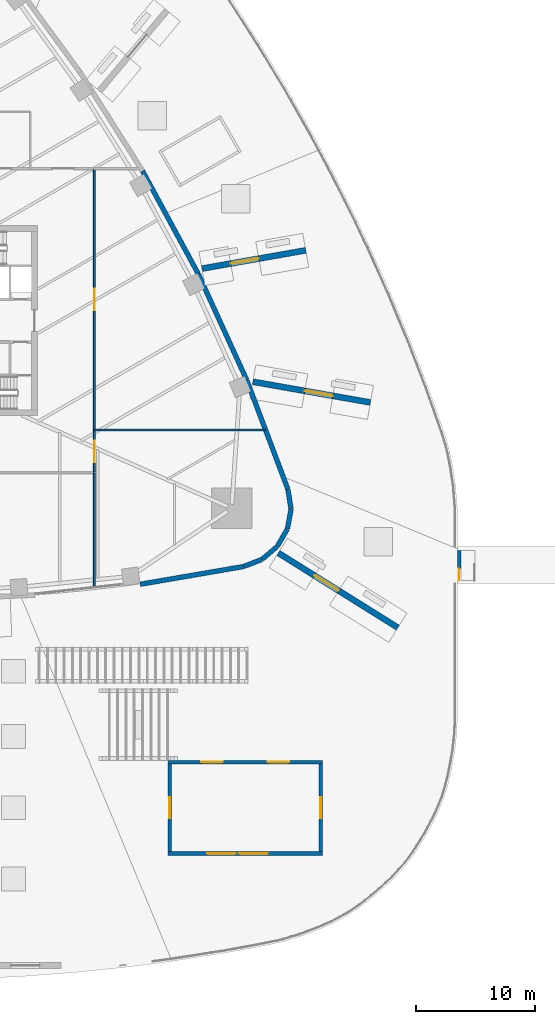
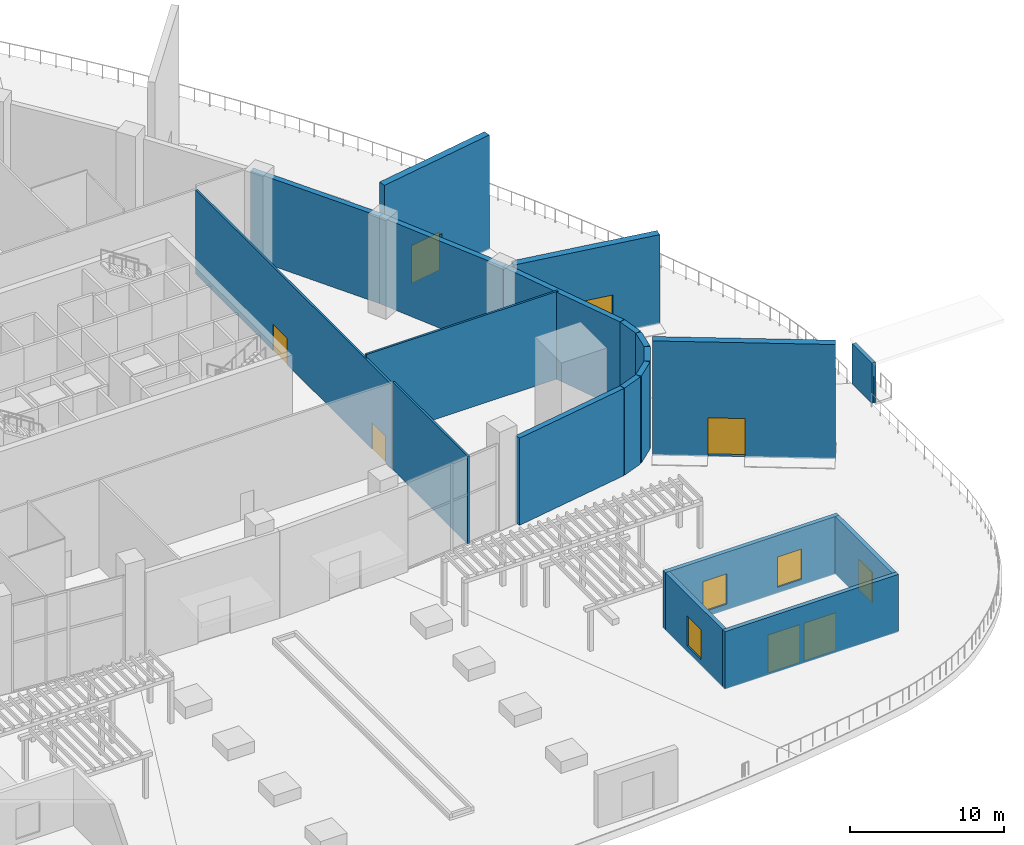
# One storey, part 11 of 20: 20 walls, 8 doors, 4 windows, 12 openings.
"""IFC4 building model written with IfcOpenShell, lengths in metres."""

from ifc_helpers import new_model, si_unit, direction, frame, frame_2d, origin, place, context, subcontext, project, spatial, rectangle, extrude, material, layer, layer_set, type_object, element, fill, save


model = new_model("IFC4")

# Units and contexts
model_context = context("Model", 3, precision=1e-05, world=origin(), true_north=direction((0.0, 1.0)))
body_context = subcontext(model_context, "Body", "Model", "MODEL_VIEW")
ifc_project = project(units=[si_unit("LENGTHUNIT", "METRE"), si_unit("AREAUNIT", "SQUARE_METRE"), si_unit("VOLUMEUNIT", "CUBIC_METRE"), si_unit("PLANEANGLEUNIT", "RADIAN"), si_unit("MASSUNIT", "GRAM", prefix="KILO")], contexts=[model_context])

# Site, building, storey
site_placement = place(None, origin())
site = spatial("IfcSite", under=ifc_project, at=site_placement, CompositionType="ELEMENT")
building_placement = place(site_placement, origin())
building = spatial("IfcBuilding", under=site, at=building_placement, Name="Sierra Prisma Convention Tower", CompositionType="ELEMENT")
storey_placement = place(building_placement, frame((0.0, 0.0, 9.0)))
storey = spatial("IfcBuildingStorey", under=building, at=storey_placement, Name="L01", CompositionType="ELEMENT", Elevation=9.0)

# Wall, openings, doors
ifc_material_1 = material(Name="Gypsum board partition", Category="gypsum")
ifc_layer_1 = layer(ifc_material_1, 0.14990234375)
ifc_layer_set_1 = layer_set([ifc_layer_1], Name="Corridor wall 150 gypsum EI 60")
wall_type_1 = type_object("IfcWallType", Name="Corridor wall 150 gypsum EI 60", PredefinedType="PARTITIONING", material=ifc_layer_set_1)
wall_1_placement = place(storey_placement, frame((15.800048828125, -12.719970703125, 0.0), z_axis=(0.0, 0.0, 1.0), x_axis=(0.0, 1.0, 0.0)))
wall_1 = element("IfcWall", 1, at=wall_1_placement, inside=storey, type_object=wall_type_1, Name="Partition L01 corr 4", PredefinedType="PARTITIONING", context=body_context, shape_type="SweptSolid", body=[
    extrude(rectangle(XDim=25.43994140625, YDim=0.14990234375, at=frame_2d((12.719970703125, 0.0))), origin(), (0.0, 0.0, 1.0), 6.64697265625),
])
opening_1_placement = place(wall_1_placement, frame((0.81005859375, 0.0, 0.0)))
opening_1 = element("IfcOpeningElement", 2, at=opening_1_placement, cuts=wall_1, Name="Opening L01-D031", PredefinedType="OPENING", context=body_context, shape_type="SweptSolid", body=[
    extrude(rectangle(XDim=1.800048828125, YDim=2.10009765625, at=frame_2d((0.89990234375, 1.050048828125))), frame((0.0, 0.074951171875, 0.0), z_axis=(0.0, -1.0, 0.0), x_axis=(1.0, 0.0, 0.0)), (0.0, 0.0, 1.0), 0.14990234375),
])
opening_2_placement = place(wall_1_placement, frame((13.6201171875, 0.0, 0.0)))
opening_2 = element("IfcOpeningElement", 3, at=opening_2_placement, cuts=wall_1, Name="Opening L01-D032", PredefinedType="OPENING", context=body_context, shape_type="SweptSolid", body=[
    extrude(rectangle(XDim=1.800048828125, YDim=2.10009765625, at=frame_2d((0.89990234375, 1.050048828125))), frame((0.0, 0.074951171875, 0.0), z_axis=(0.0, -1.0, 0.0), x_axis=(1.0, 0.0, 0.0)), (0.0, 0.0, 1.0), 0.14990234375),
])
ifc_material_2 = material(Name="Steel fire door leaf", Category="steel")
door_type_1 = type_object("IfcDoorType", Name="Door 1800x2100 FD30S", OperationType="DOUBLE_DOOR_SINGLE_SWING", PredefinedType="DOOR", material=ifc_material_2)
door_1_placement = place(opening_1_placement, origin())
door_1 = element("IfcDoor", 4, at=door_1_placement, inside=storey, type_object=door_type_1, Name="Door L01 8", OperationType="DOUBLE_DOOR_SINGLE_SWING", OverallHeight=2.10009765625, OverallWidth=1.800048828125, PredefinedType="DOOR", context=body_context, shape_type="SweptSolid", body=[
    extrude(rectangle(XDim=1.800048828125, YDim=2.10009765625, at=frame_2d((0.89990234375, 1.050048828125))), frame((0.0, 0.02490234375, 0.0), z_axis=(0.0, -1.0, 0.0), x_axis=(1.0, 0.0, 0.0)), (0.0, 0.0, 1.0), 0.050048828125),
])
fill(opening_1, door_1)
door_2_placement = place(opening_2_placement, origin())
door_2 = element("IfcDoor", 5, at=door_2_placement, inside=storey, type_object=door_type_1, Name="Door L01 9", OperationType="DOUBLE_DOOR_SINGLE_SWING", OverallHeight=2.10009765625, OverallWidth=1.800048828125, PredefinedType="DOOR", context=body_context, shape_type="SweptSolid", body=[
    extrude(rectangle(XDim=1.800048828125, YDim=2.10009765625, at=frame_2d((0.89990234375, 1.050048828125))), frame((0.0, 0.02490234375, 0.0), z_axis=(0.0, -1.0, 0.0), x_axis=(1.0, 0.0, 0.0)), (0.0, 0.0, 1.0), 0.050048828125),
])
fill(opening_2, door_2)

# Wall, opening, door
ifc_material_3 = material(Name="Concrete C35/45", Category="concrete")
ifc_layer_2 = layer(ifc_material_3, 0.300048828125)
ifc_layer_set_2 = layer_set([ifc_layer_2], Name="Exit stair enclosure wall 300")
wall_type_2 = type_object("IfcWallType", Name="Exit stair enclosure wall 300", PredefinedType="STANDARD", material=ifc_layer_set_2)
wall_2_placement = place(storey_placement, frame((46.4990234375, -21.875, 0.0), z_axis=(0.0, 0.0, 1.0), x_axis=(0.0, 1.0, 0.0)))
wall_2 = element("IfcWall", 6, at=wall_2_placement, inside=storey, type_object=wall_type_2, Name="Exit stair east near wall at the deck", PredefinedType="STANDARD", context=body_context, shape_type="SweptSolid", body=[
    extrude(rectangle(XDim=2.550048828125, YDim=0.300048828125, at=frame_2d((1.27490234375, 0.0))), origin(), (0.0, 0.0, 1.0), 3.199951171875),
])
opening_3_placement = place(wall_2_placement, origin())
opening_3 = element("IfcOpeningElement", 7, at=opening_3_placement, cuts=wall_2, Name="Opening L01-D036", PredefinedType="OPENING", context=body_context, shape_type="SweptSolid", body=[
    extrude(rectangle(XDim=1.0, YDim=2.10009765625, at=frame_2d((0.5, 1.050048828125))), frame((0.0, 0.14990234375, 0.0), z_axis=(0.0, -1.0, 0.0), x_axis=(1.0, 0.0, 0.0)), (0.0, 0.0, 1.0), 0.300048828125),
])
ifc_material_4 = material(Name="Painted steel, fire resisting", Category="steel")
door_type_2 = type_object("IfcDoorType", Name="Exit stair door 1000 x 2100 FD90S", OperationType="SINGLE_SWING_LEFT", PredefinedType="DOOR", material=ifc_material_4)
door_3_placement = place(opening_3_placement, origin())
door_3 = element("IfcDoor", 8, at=door_3_placement, inside=storey, type_object=door_type_2, Name="Door from the deck to the east exit stair", OperationType="SINGLE_SWING_LEFT", OverallHeight=2.10009765625, OverallWidth=1.0, PredefinedType="DOOR", context=body_context, shape_type="SweptSolid", body=[
    extrude(rectangle(XDim=1.0, YDim=2.10009765625, at=frame_2d((0.5, 1.050048828125))), frame((0.0, 0.02490234375, 0.0), z_axis=(0.0, -1.0, 0.0), x_axis=(1.0, 0.0, 0.0)), (0.0, 0.0, 1.0), 0.050048828125),
])
fill(opening_3, door_3)

# Walls
ifc_material_5 = material(Name="Gypsum board partition", Category="gypsum")
ifc_layer_3 = layer(ifc_material_5, 0.14990234375)
ifc_layer_set_3 = layer_set([ifc_layer_3], Name="Party wall 150 gypsum")
wall_type_3 = type_object("IfcWallType", Name="Party wall 150 gypsum", PredefinedType="PARTITIONING", material=ifc_layer_set_3)
wall_3_placement = place(storey_placement, frame((15.800048828125, -12.800048828125, 0.0), z_axis=(0.0, 0.0, 1.0), x_axis=(0.0, -1.0, 0.0)))
element("IfcWall", 9, at=wall_3_placement, inside=storey, type_object=wall_type_3, Name="Partition L01 party 5", PredefinedType="PARTITIONING", context=body_context, shape_type="SweptSolid", body=[
    extrude(rectangle(XDim=9.7099609375, YDim=0.14990234375, at=frame_2d((4.85498046875, 0.0))), origin(), (0.0, 0.0, 1.0), 6.93408203125),
])
wall_4_placement = place(storey_placement, frame((15.800048828125, -9.199951171875, 0.0), z_axis=(0.0, 0.0, 1.0), x_axis=(1.0, 0.0, 0.0)))
element("IfcWall", 10, at=wall_4_placement, inside=storey, type_object=wall_type_3, Name="Partition L01 party 6", PredefinedType="PARTITIONING", context=body_context, shape_type="SweptSolid", body=[
    extrude(rectangle(XDim=14.3681640625, YDim=0.14990234375, at=frame_2d((7.18408203125, 0.0))), origin(), (0.0, 0.0, 1.0), 6.93408203125),
])

# Wall, openings, doors
ifc_material_6 = material(Name="Concrete C35/45, rose plaster finish", Category="concrete")
ifc_layer_4 = layer(ifc_material_6, 0.300048828125)
ifc_layer_set_4 = layer_set([ifc_layer_4], Name="Pavilion plastered wall 300")
wall_type_4 = type_object("IfcWallType", Name="Pavilion plastered wall 300", PredefinedType="STANDARD", material=ifc_layer_set_4)
wall_5_placement = place(storey_placement, frame((35.0, -44.85009765625, -0.06005859375), z_axis=(0.0, 0.0, 1.0), x_axis=(-1.0, 0.0, 0.0)))
wall_5 = element("IfcWall", 11, at=wall_5_placement, inside=storey, type_object=wall_type_4, Name="East welcome pavilion wall", PredefinedType="STANDARD", context=body_context, shape_type="SweptSolid", body=[
    extrude(rectangle(XDim=13.0, YDim=0.300048828125, at=frame_2d((6.5, 0.0))), origin(), (0.0, 0.0, 1.0), 4.56005859375),
])
opening_4_placement = place(wall_5_placement, frame((4.60009765625, 0.0, 0.06005859375)))
opening_4 = element("IfcOpeningElement", 12, at=opening_4_placement, cuts=wall_5, Name="Opening L01-D047", PredefinedType="OPENING", context=body_context, shape_type="SweptSolid", body=[
    extrude(rectangle(XDim=2.39990234375, YDim=3.0, at=frame_2d((1.199951171875, 1.5))), frame((0.0, 0.14990234375, 0.0), z_axis=(0.0, -1.0, 0.0), x_axis=(1.0, 0.0, 0.0)), (0.0, 0.0, 1.0), 0.300048828125),
])
opening_5_placement = place(wall_5_placement, frame((7.300048828125, 0.0, 0.06005859375)))
opening_5 = element("IfcOpeningElement", 13, at=opening_5_placement, cuts=wall_5, Name="Opening L01-D048", PredefinedType="OPENING", context=body_context, shape_type="SweptSolid", body=[
    extrude(rectangle(XDim=2.39990234375, YDim=3.0, at=frame_2d((1.199951171875, 1.5))), frame((0.0, 0.14990234375, 0.0), z_axis=(0.0, -1.0, 0.0), x_axis=(1.0, 0.0, 0.0)), (0.0, 0.0, 1.0), 0.300048828125),
])
ifc_material_7 = material(Name="Bronze anodised aluminium and glass", Category="aluminium")
door_type_3 = type_object("IfcDoorType", Name="Pavilion entrance double 2400 x 3000", OperationType="DOUBLE_DOOR_SINGLE_SWING", PredefinedType="DOOR", material=ifc_material_7)
door_4_placement = place(opening_4_placement, origin())
door_4 = element("IfcDoor", 14, at=door_4_placement, inside=storey, type_object=door_type_3, Name="Pavilion entrance door", OperationType="DOUBLE_DOOR_SINGLE_SWING", OverallHeight=3.0, OverallWidth=2.39990234375, PredefinedType="DOOR", context=body_context, shape_type="SweptSolid", body=[
    extrude(rectangle(XDim=2.39990234375, YDim=3.0, at=frame_2d((1.199951171875, 1.5))), frame((0.0, 0.02490234375, 0.0), z_axis=(0.0, -1.0, 0.0), x_axis=(1.0, 0.0, 0.0)), (0.0, 0.0, 1.0), 0.050048828125),
])
fill(opening_4, door_4)
door_5_placement = place(opening_5_placement, origin())
door_5 = element("IfcDoor", 15, at=door_5_placement, inside=storey, type_object=door_type_3, Name="Pavilion entrance door", OperationType="DOUBLE_DOOR_SINGLE_SWING", OverallHeight=3.0, OverallWidth=2.39990234375, PredefinedType="DOOR", context=body_context, shape_type="SweptSolid", body=[
    extrude(rectangle(XDim=2.39990234375, YDim=3.0, at=frame_2d((1.199951171875, 1.5))), frame((0.0, 0.02490234375, 0.0), z_axis=(0.0, -1.0, 0.0), x_axis=(1.0, 0.0, 0.0)), (0.0, 0.0, 1.0), 0.050048828125),
])
fill(opening_5, door_5)

# Wall, openings, windows
wall_6_placement = place(storey_placement, frame((22.0, -37.14990234375, -0.06005859375), z_axis=(0.0, 0.0, 1.0), x_axis=(1.0, 0.0, 0.0)))
wall_6 = element("IfcWall", 16, at=wall_6_placement, inside=storey, type_object=wall_type_4, Name="East welcome pavilion wall", PredefinedType="STANDARD", context=body_context, shape_type="SweptSolid", body=[
    extrude(rectangle(XDim=13.0, YDim=0.300048828125, at=frame_2d((6.5, 0.0))), origin(), (0.0, 0.0, 1.0), 4.56005859375),
])
opening_6_placement = place(wall_6_placement, frame((2.800048828125, 0.0, 0.4599609375)))
opening_6 = element("IfcOpeningElement", 17, at=opening_6_placement, cuts=wall_6, Name="Opening L01-W01", PredefinedType="OPENING", context=body_context, shape_type="SweptSolid", body=[
    extrude(rectangle(XDim=1.800048828125, YDim=2.39990234375, at=frame_2d((0.89990234375, 1.199951171875))), frame((0.0, 0.14990234375, 0.0), z_axis=(0.0, -1.0, 0.0), x_axis=(1.0, 0.0, 0.0)), (0.0, 0.0, 1.0), 0.300048828125),
])
opening_7_placement = place(wall_6_placement, frame((8.39990234375, 0.0, 0.4599609375)))
opening_7 = element("IfcOpeningElement", 18, at=opening_7_placement, cuts=wall_6, Name="Opening L01-W02", PredefinedType="OPENING", context=body_context, shape_type="SweptSolid", body=[
    extrude(rectangle(XDim=1.800048828125, YDim=2.39990234375, at=frame_2d((0.89990234375, 1.199951171875))), frame((0.0, 0.14990234375, 0.0), z_axis=(0.0, -1.0, 0.0), x_axis=(1.0, 0.0, 0.0)), (0.0, 0.0, 1.0), 0.300048828125),
])
ifc_material_8 = material(Name="Tinted glass, bronze aluminium frame", Category="aluminium")
window_type = type_object("IfcWindowType", Name="Pavilion window 1800 x 2400", PartitioningType="SINGLE_PANEL", PredefinedType="WINDOW", material=ifc_material_8)
window_1_placement = place(opening_6_placement, origin())
window_1 = element("IfcWindow", 19, at=window_1_placement, inside=storey, type_object=window_type, Name="Pavilion window", OverallHeight=2.39990234375, OverallWidth=1.800048828125, PartitioningType="SINGLE_PANEL", PredefinedType="WINDOW", context=body_context, shape_type="SweptSolid", body=[
    extrude(rectangle(XDim=1.800048828125, YDim=2.39990234375, at=frame_2d((0.89990234375, 1.199951171875))), frame((0.0, 0.030029296875, 0.0), z_axis=(0.0, -1.0, 0.0), x_axis=(1.0, 0.0, 0.0)), (0.0, 0.0, 1.0), 0.06005859375),
])
fill(opening_6, window_1)
window_2_placement = place(opening_7_placement, origin())
window_2 = element("IfcWindow", 20, at=window_2_placement, inside=storey, type_object=window_type, Name="Pavilion window", OverallHeight=2.39990234375, OverallWidth=1.800048828125, PartitioningType="SINGLE_PANEL", PredefinedType="WINDOW", context=body_context, shape_type="SweptSolid", body=[
    extrude(rectangle(XDim=1.800048828125, YDim=2.39990234375, at=frame_2d((0.89990234375, 1.199951171875))), frame((0.0, 0.030029296875, 0.0), z_axis=(0.0, -1.0, 0.0), x_axis=(1.0, 0.0, 0.0)), (0.0, 0.0, 1.0), 0.06005859375),
])
fill(opening_7, window_2)

# Wall, opening, window
wall_7_placement = place(storey_placement, frame((22.14990234375, -37.300048828125, -0.06005859375), z_axis=(0.0, 0.0, 1.0), x_axis=(0.0, -1.0, 0.0)))
wall_7 = element("IfcWall", 21, at=wall_7_placement, inside=storey, type_object=wall_type_4, Name="East welcome pavilion wall", PredefinedType="STANDARD", context=body_context, shape_type="SweptSolid", body=[
    extrude(rectangle(XDim=7.39990234375, YDim=0.300048828125, at=frame_2d((3.699951171875, 0.0))), origin(), (0.0, 0.0, 1.0), 4.56005859375),
])
opening_8_placement = place(wall_7_placement, frame((2.800048828125, 0.0, 0.4599609375)))
opening_8 = element("IfcOpeningElement", 22, at=opening_8_placement, cuts=wall_7, Name="Opening L01-W03", PredefinedType="OPENING", context=body_context, shape_type="SweptSolid", body=[
    extrude(rectangle(XDim=1.800048828125, YDim=2.39990234375, at=frame_2d((0.89990234375, 1.199951171875))), frame((0.0, 0.14990234375, 0.0), z_axis=(0.0, -1.0, 0.0), x_axis=(1.0, 0.0, 0.0)), (0.0, 0.0, 1.0), 0.300048828125),
])
window_3_placement = place(opening_8_placement, origin())
window_3 = element("IfcWindow", 23, at=window_3_placement, inside=storey, type_object=window_type, Name="Pavilion window", OverallHeight=2.39990234375, OverallWidth=1.800048828125, PartitioningType="SINGLE_PANEL", PredefinedType="WINDOW", context=body_context, shape_type="SweptSolid", body=[
    extrude(rectangle(XDim=1.800048828125, YDim=2.39990234375, at=frame_2d((0.89990234375, 1.199951171875))), frame((0.0, 0.030029296875, 0.0), z_axis=(0.0, -1.0, 0.0), x_axis=(1.0, 0.0, 0.0)), (0.0, 0.0, 1.0), 0.06005859375),
])
fill(opening_8, window_3)

wall_8_placement = place(storey_placement, frame((34.85009765625, -44.699951171875, -0.06005859375), z_axis=(0.0, 0.0, 1.0), x_axis=(0.0, 1.0, 0.0)))
wall_8 = element("IfcWall", 24, at=wall_8_placement, inside=storey, type_object=wall_type_4, Name="East welcome pavilion wall", PredefinedType="STANDARD", context=body_context, shape_type="SweptSolid", body=[
    extrude(rectangle(XDim=7.39990234375, YDim=0.300048828125, at=frame_2d((3.699951171875, 0.0))), origin(), (0.0, 0.0, 1.0), 4.56005859375),
])
opening_9_placement = place(wall_8_placement, frame((2.800048828125, 0.0, 0.4599609375)))
opening_9 = element("IfcOpeningElement", 25, at=opening_9_placement, cuts=wall_8, Name="Opening L01-W04", PredefinedType="OPENING", context=body_context, shape_type="SweptSolid", body=[
    extrude(rectangle(XDim=1.800048828125, YDim=2.39990234375, at=frame_2d((0.89990234375, 1.199951171875))), frame((0.0, 0.14990234375, 0.0), z_axis=(0.0, -1.0, 0.0), x_axis=(1.0, 0.0, 0.0)), (0.0, 0.0, 1.0), 0.300048828125),
])
window_4_placement = place(opening_9_placement, origin())
window_4 = element("IfcWindow", 26, at=window_4_placement, inside=storey, type_object=window_type, Name="Pavilion window", OverallHeight=2.39990234375, OverallWidth=1.800048828125, PartitioningType="SINGLE_PANEL", PredefinedType="WINDOW", context=body_context, shape_type="SweptSolid", body=[
    extrude(rectangle(XDim=1.800048828125, YDim=2.39990234375, at=frame_2d((0.89990234375, 1.199951171875))), frame((0.0, 0.030029296875, 0.0), z_axis=(0.0, -1.0, 0.0), x_axis=(1.0, 0.0, 0.0)), (0.0, 0.0, 1.0), 0.06005859375),
])
fill(opening_9, window_4)

# Walls
ifc_material_9 = material(Name="Concrete C40/50, terracotta plaster finish", Category="masonry")
ifc_layer_5 = layer(ifc_material_9, 0.39990234375)
ifc_layer_set_5 = layer_set([ifc_layer_5], Name="Podium plastered wall 400")
wall_type_5 = type_object("IfcWallType", Name="Podium plastered wall 400", PredefinedType="STANDARD", material=ifc_layer_set_5)
for number, where, z_axis, x_axis, name in (
    (27, (31.189697265625, -19.00341796875, 0.0), (0.0, 0.0, 1.0), (-0.760211621525, -0.649675527089, 0.0), "Podium wall L01 1"),
    (28, (32.04052734375, -17.541015625, 0.0), (0.0, 0.0, 1.0), (-0.499985761608, -0.866033624168, 0.0), "Podium wall L01 2"),
    (29, (32.355224609375, -15.87841796875, 0.0), (0.0, 0.0, 1.0), (-0.182653168579, -0.983177410241, 0.0), "Podium wall L01 3"),
):
    element("IfcWall", number, at=place(storey_placement, frame(where, z_axis=z_axis, x_axis=x_axis)), inside=storey, type_object=wall_type_5, Name=name, PredefinedType="STANDARD", context=body_context, shape_type="SweptSolid", body=[
        extrude(rectangle(XDim=1.65869140625, YDim=0.39990234375, at=frame_2d((0.829345703125, 0.0))), origin(), (0.0, 0.0, 1.0), 6.89990234375),
    ])
wall_9_placement = place(storey_placement, frame((32.099365234375, -14.218505859375, 0.0), z_axis=(0.0, 0.0, 1.0), x_axis=(0.155711266073, -0.98780261268, 0.0)))
element("IfcWall", 30, at=wall_9_placement, inside=storey, type_object=wall_type_5, Name="Podium wall L01 4", PredefinedType="STANDARD", context=body_context, shape_type="SweptSolid", body=[
    extrude(rectangle(XDim=1.646240234375, YDim=0.39990234375, at=frame_2d((0.8232421875, 0.0))), origin(), (0.0, 0.0, 1.0), 6.89990234375),
])
wall_10_placement = place(storey_placement, frame((28.62548828125, -4.992919921875, 0.0), z_axis=(0.0, 0.0, 1.0), x_axis=(0.352569865932, -0.935785493389, 0.0)))
element("IfcWall", 31, at=wall_10_placement, inside=storey, type_object=wall_type_5, Name="Podium wall L01 5", PredefinedType="STANDARD", context=body_context, shape_type="SweptSolid", body=[
    extrude(rectangle(XDim=9.837890625, YDim=0.39990234375, at=frame_2d((4.9189453125, 0.0))), origin(), (0.0, 0.0, 1.0), 6.89990234375),
])
wall_11_placement = place(storey_placement, frame((24.541259765625, 3.951171875, 0.0), z_axis=(0.0, 0.0, 1.0), x_axis=(0.415399179946, -0.909639225902, 0.0)))
element("IfcWall", 32, at=wall_11_placement, inside=storey, type_object=wall_type_5, Name="Podium wall L01 6", PredefinedType="STANDARD", context=body_context, shape_type="SweptSolid", body=[
    extrude(rectangle(XDim=9.82568359375, YDim=0.39990234375, at=frame_2d((4.912841796875, 0.0))), origin(), (0.0, 0.0, 1.0), 6.89990234375),
])
wall_12_placement = place(storey_placement, frame((19.858642578125, 12.596923828125, 0.0), z_axis=(0.0, 0.0, 1.0), x_axis=(0.476254331716, -0.879307575039, 0.0)))
element("IfcWall", 33, at=wall_12_placement, inside=storey, type_object=wall_type_5, Name="Podium wall L01 7", PredefinedType="STANDARD", context=body_context, shape_type="SweptSolid", body=[
    extrude(rectangle(XDim=9.825439453125, YDim=0.39990234375, at=frame_2d((4.91259765625, 0.0))), origin(), (0.0, 0.0, 1.0), 6.89990234375),
])
wall_13_placement = place(storey_placement, frame((28.34423828125, -20.694580078125, 0.0), z_axis=(0.0, 0.0, 1.0), x_axis=(-0.985570785174, -0.169263780566, 0.0)))
element("IfcWall", 34, at=wall_13_placement, inside=storey, type_object=wall_type_5, Name="Podium wall L01 32", PredefinedType="STANDARD", context=body_context, shape_type="SweptSolid", body=[
    extrude(rectangle(XDim=8.81005859375, YDim=0.39990234375, at=frame_2d((4.405029296875, 0.0))), origin(), (0.0, 0.0, 1.0), 6.89990234375),
])
wall_14_placement = place(storey_placement, frame((29.899658203125, -20.098388671875, 0.0), z_axis=(0.0, 0.0, 1.0), x_axis=(-0.933315023429, -0.359058584415, 0.0)))
element("IfcWall", 35, at=wall_14_placement, inside=storey, type_object=wall_type_5, Name="Podium wall L01 33", PredefinedType="STANDARD", context=body_context, shape_type="SweptSolid", body=[
    extrude(rectangle(XDim=1.646240234375, YDim=0.39990234375, at=frame_2d((0.8232421875, 0.0))), origin(), (0.0, 0.0, 1.0), 6.89990234375),
])

# Wall, opening, door
ifc_material_10 = material(Name="Concrete C35/45, rose plaster finish", Category="concrete")
ifc_layer_6 = layer(ifc_material_10, 0.5)
ifc_layer_set_6 = layer_set([ifc_layer_6], Name="Rose garden wall 500")
wall_type_6 = type_object("IfcWallType", Name="Rose garden wall 500", PredefinedType="STANDARD", material=ifc_layer_set_6)
wall_15_placement = place(storey_placement, frame((24.858642578125, 4.38330078125, -0.06005859375), z_axis=(0.0, 0.0, 1.0), x_axis=(0.984806552883, 0.173654983803, 0.0)))
wall_15 = element("IfcWall", 36, at=wall_15_placement, inside=storey, type_object=wall_type_6, Name="Garden wall 1", PredefinedType="STANDARD", context=body_context, shape_type="SweptSolid", body=[
    extrude(rectangle(XDim=8.868408203125, YDim=0.5, at=frame_2d((4.43408203125, 0.0))), origin(), (0.0, 0.0, 1.0), 9.06005859375),
])
opening_10_placement = place(wall_15_placement, frame((2.4580078125, 0.0, 0.06005859375)))
opening_10 = element("IfcOpeningElement", 37, at=opening_10_placement, cuts=wall_15, Name="Opening L01-D037", PredefinedType="OPENING", context=body_context, shape_type="SweptSolid", body=[
    extrude(rectangle(XDim=2.39990234375, YDim=3.0, at=frame_2d((1.199951171875, 1.5))), frame((0.0, 0.25, 0.0), z_axis=(0.0, -1.0, 0.0), x_axis=(1.0, 0.0, 0.0)), (0.0, 0.0, 1.0), 0.5),
])
ifc_material_11 = material(Name="Bronze anodised aluminium and glass", Category="aluminium")
door_type_4 = type_object("IfcDoorType", Name="Garden door double 2400 x 3000", OperationType="DOUBLE_DOOR_SINGLE_SWING", PredefinedType="DOOR", material=ifc_material_11)
door_6_placement = place(opening_10_placement, origin())
door_6 = element("IfcDoor", 38, at=door_6_placement, inside=storey, type_object=door_type_4, Name="Garden door", OperationType="DOUBLE_DOOR_SINGLE_SWING", OverallHeight=3.0, OverallWidth=2.39990234375, PredefinedType="DOOR", context=body_context, shape_type="SweptSolid", body=[
    extrude(rectangle(XDim=2.39990234375, YDim=3.0, at=frame_2d((1.199951171875, 1.5))), frame((0.0, 0.02490234375, 0.0), z_axis=(0.0, -1.0, 0.0), x_axis=(1.0, 0.0, 0.0)), (0.0, 0.0, 1.0), 0.050048828125),
])
fill(opening_10, door_6)

ifc_material_12 = material(Name="Concrete C35/45, sand plaster finish", Category="concrete")
ifc_layer_7 = layer(ifc_material_12, 0.5)
ifc_layer_set_7 = layer_set([ifc_layer_7], Name="Sand garden wall 500")
wall_type_7 = type_object("IfcWallType", Name="Sand garden wall 500", PredefinedType="STANDARD", material=ifc_layer_set_7)
wall_16_placement = place(storey_placement, frame((29.141845703125, -5.138427734375, -0.06005859375), z_axis=(0.0, 0.0, 1.0), x_axis=(0.984807275936, -0.17365088328, 0.0)))
wall_16 = element("IfcWall", 39, at=wall_16_placement, inside=storey, type_object=wall_type_7, Name="Garden wall 8", PredefinedType="STANDARD", context=body_context, shape_type="SweptSolid", body=[
    extrude(rectangle(XDim=10.048095703125, YDim=0.5, at=frame_2d((5.02392578125, 0.0))), origin(), (0.0, 0.0, 1.0), 7.06005859375),
])
opening_11_placement = place(wall_16_placement, frame((4.435791015625, 0.0, 0.06005859375)))
opening_11 = element("IfcOpeningElement", 40, at=opening_11_placement, cuts=wall_16, Name="Opening L01-D044", PredefinedType="OPENING", context=body_context, shape_type="SweptSolid", body=[
    extrude(rectangle(XDim=2.39990234375, YDim=3.0, at=frame_2d((1.199951171875, 1.5))), frame((0.0, 0.25, 0.0), z_axis=(0.0, -1.0, 0.0), x_axis=(1.0, 0.0, 0.0)), (0.0, 0.0, 1.0), 0.5),
])
door_7_placement = place(opening_11_placement, origin())
door_7 = element("IfcDoor", 41, at=door_7_placement, inside=storey, type_object=door_type_4, Name="Garden door", OperationType="DOUBLE_DOOR_SINGLE_SWING", OverallHeight=3.0, OverallWidth=2.39990234375, PredefinedType="DOOR", context=body_context, shape_type="SweptSolid", body=[
    extrude(rectangle(XDim=2.39990234375, YDim=3.0, at=frame_2d((1.199951171875, 1.5))), frame((0.0, 0.02490234375, 0.0), z_axis=(0.0, -1.0, 0.0), x_axis=(1.0, 0.0, 0.0)), (0.0, 0.0, 1.0), 0.050048828125),
])
fill(opening_11, door_7)

ifc_material_13 = material(Name="Concrete C35/45, terracotta plaster finish", Category="masonry")
ifc_layer_8 = layer(ifc_material_13, 0.5)
ifc_layer_set_8 = layer_set([ifc_layer_8], Name="Terracotta garden wall 500")
wall_type_8 = type_object("IfcWallType", Name="Terracotta garden wall 500", PredefinedType="STANDARD", material=ifc_layer_set_8)
wall_17_placement = place(storey_placement, frame((31.281982421875, -19.547119140625, -0.06005859375), z_axis=(0.0, 0.0, 1.0), x_axis=(0.848049126922, -0.52991761466, 0.0)))
wall_17 = element("IfcWall", 42, at=wall_17_placement, inside=storey, type_object=wall_type_8, Name="Garden wall 7", PredefinedType="STANDARD", context=body_context, shape_type="SweptSolid", body=[
    extrude(rectangle(XDim=11.87353515625, YDim=0.5, at=frame_2d((5.936767578125, 0.0))), origin(), (0.0, 0.0, 1.0), 9.06005859375),
])
opening_12_placement = place(wall_17_placement, frame((3.599853515625, 0.0, 0.06005859375)))
opening_12 = element("IfcOpeningElement", 43, at=opening_12_placement, cuts=wall_17, Name="Opening L01-D043", PredefinedType="OPENING", context=body_context, shape_type="SweptSolid", body=[
    extrude(rectangle(XDim=2.39990234375, YDim=3.0, at=frame_2d((1.199951171875, 1.5))), frame((0.0, 0.25, 0.0), z_axis=(0.0, -1.0, 0.0), x_axis=(1.0, 0.0, 0.0)), (0.0, 0.0, 1.0), 0.5),
])
door_8_placement = place(opening_12_placement, origin())
door_8 = element("IfcDoor", 44, at=door_8_placement, inside=storey, type_object=door_type_4, Name="Garden door", OperationType="DOUBLE_DOOR_SINGLE_SWING", OverallHeight=3.0, OverallWidth=2.39990234375, PredefinedType="DOOR", context=body_context, shape_type="SweptSolid", body=[
    extrude(rectangle(XDim=2.39990234375, YDim=3.0, at=frame_2d((1.199951171875, 1.5))), frame((0.0, 0.02490234375, 0.0), z_axis=(0.0, -1.0, 0.0), x_axis=(1.0, 0.0, 0.0)), (0.0, 0.0, 1.0), 0.050048828125),
])
fill(opening_12, door_8)

save(model, "model.ifc")
